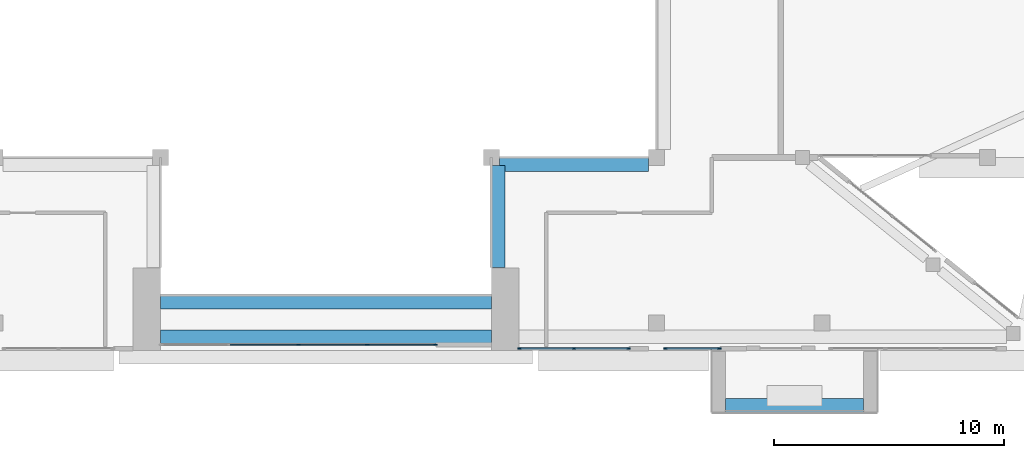
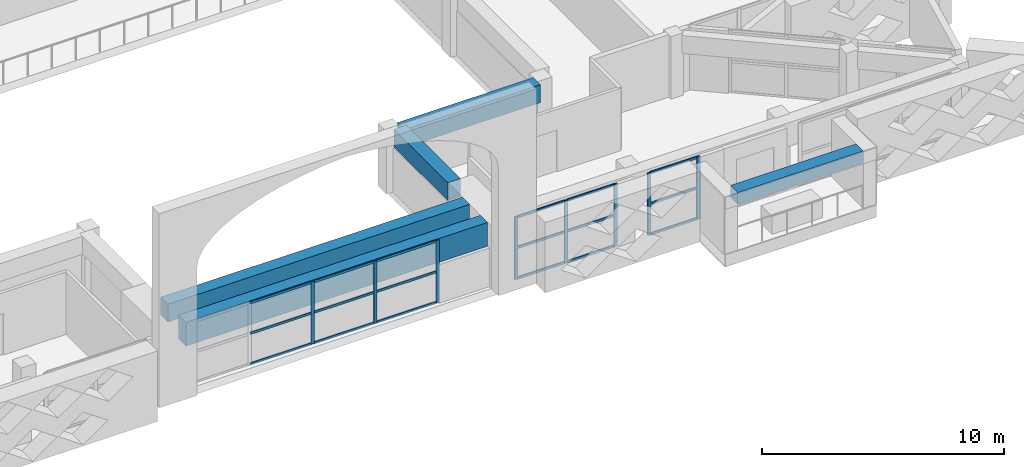
# One storey, part 4 of 22: 26 members, 5 beams, 3 elements without a shape of their own.
"""IFC4 building model written with IfcOpenShell, lengths in metres."""

from ifc_helpers import new_model, si_unit, direction, frame, origin, origin_2d, place, context, subcontext, project, spatial, rectangle, extrude, source, transform, mapped, material, layer, layer_set, material_profile, profile_set, type_object, element, aggregate, save


model = new_model("IFC4")

# Units and contexts
model_context = context("Model", 3, precision=1e-05, world=origin(), true_north=direction((0.0, 1.0)))
body_context = subcontext(model_context, "Body", "Model", "MODEL_VIEW")
ifc_project = project(units=[si_unit("LENGTHUNIT", "METRE"), si_unit("AREAUNIT", "SQUARE_METRE"), si_unit("VOLUMEUNIT", "CUBIC_METRE"), si_unit("PLANEANGLEUNIT", "RADIAN"), si_unit("MASSUNIT", "GRAM", prefix="KILO")], contexts=[model_context])

# Site, building, storey
site_placement = place(None, origin())
site = spatial("IfcSite", under=ifc_project, at=site_placement, CompositionType="ELEMENT")
building_placement = place(site_placement, origin())
building = spatial("IfcBuilding", under=site, at=building_placement, Name="Saffron Iwan Residences", CompositionType="ELEMENT")
storey_placement = place(building_placement, frame((0.0, 0.0, 271.0)))
storey = spatial("IfcBuildingStorey", under=building, at=storey_placement, Name="L73", CompositionType="ELEMENT", Elevation=271.0)

# Beams
ifc_material_1 = material(Name="Concrete C40/50", Category="concrete")
ifc_material_profile_1 = material_profile(ifc_material_1, rectangle(XDim=0.60009765625, YDim=1.199951171875, at=origin_2d()), Name="RC 600x1200")
ifc_profile_set_1 = profile_set([ifc_material_profile_1], Name="Concrete C40/50")
beam_type_1 = type_object("IfcBeamType", Name="LINTEL BEAM RC 600x1200 C40/50 TOP 3150", PredefinedType="LINTEL", material=ifc_profile_set_1)
shared_shape_1 = source(origin(), body_context, "Body", "SweptSolid", [
    extrude(rectangle(XDim=0.60009765625, YDim=1.199951171875, at=origin_2d()), origin(), (0.0, 0.0, 1.0), 14.400146484375),
])
beam_1_placement = place(storey_placement, frame((57.60009765625, 40.199951171875, 2.550048828125), z_axis=(-1.0, 0.0, 0.0), x_axis=(0.0, -1.0, 0.0)))
element("IfcBeam", 1, at=beam_1_placement, inside=storey, type_object=beam_type_1, Name="Lintel beam over the iwan", PredefinedType="LINTEL", context=body_context, shape_type="MappedRepresentation", body=[
    mapped(shared_shape_1, transform((0.0, 0.0, 0.0))),
])
ifc_material_profile_2 = material_profile(ifc_material_1, rectangle(XDim=0.60009765625, YDim=0.89990234375, at=origin_2d()), Name="RC 600x900")
ifc_profile_set_2 = profile_set([ifc_material_profile_2], Name="Concrete C40/50")
beam_type_2 = type_object("IfcBeamType", Name="BEAM RC 600x900 C40/50 TOP 3150", PredefinedType="BEAM", material=ifc_profile_set_2)
shared_shape_2 = source(origin(), body_context, "Body", "SweptSolid", [
    extrude(rectangle(XDim=0.60009765625, YDim=0.89990234375, at=origin_2d()), origin(), (0.0, 0.0, 1.0), 14.400146484375),
])
beam_2_placement = place(storey_placement, frame((57.60009765625, 41.699951171875, 2.699951171875), z_axis=(-1.0, 0.0, 0.0), x_axis=(0.0, -1.0, 0.0)))
element("IfcBeam", 2, at=beam_2_placement, inside=storey, type_object=beam_type_2, Name="Atrium edge beam", PredefinedType="BEAM", context=body_context, shape_type="MappedRepresentation", body=[
    mapped(shared_shape_2, transform((0.0, 0.0, 0.0))),
])
shared_shape_3 = source(origin(), body_context, "Body", "SweptSolid", [
    extrude(rectangle(XDim=0.60009765625, YDim=0.89990234375, at=origin_2d()), origin(), (0.0, 0.0, 1.0), 4.449951171875),
])
beam_3_placement = place(storey_placement, frame((57.89990234375, 47.64990234375, 2.699951171875), z_axis=(0.0, -1.0, 0.0), x_axis=(1.0, 0.0, 0.0)))
element("IfcBeam", 3, at=beam_3_placement, inside=storey, type_object=beam_type_2, Name="Atrium edge beam", PredefinedType="BEAM", context=body_context, shape_type="MappedRepresentation", body=[
    mapped(shared_shape_3, transform((0.0, 0.0, 0.0))),
])
shared_shape_4 = source(origin(), body_context, "Body", "SweptSolid", [
    extrude(rectangle(XDim=0.60009765625, YDim=0.89990234375, at=origin_2d()), origin(), (0.0, 0.0, 1.0), 6.5),
])
beam_4_placement = place(storey_placement, frame((64.449951171875, 47.699951171875, 2.699951171875), z_axis=(-1.0, 0.0, 0.0), x_axis=(0.0, -1.0, 0.0)))
element("IfcBeam", 4, at=beam_4_placement, inside=storey, type_object=beam_type_2, Name="Atrium edge beam", PredefinedType="BEAM", context=body_context, shape_type="MappedRepresentation", body=[
    mapped(shared_shape_4, transform((0.0, 0.0, 0.0))),
])

# Curtain wall, members
ifc_material_2 = material(Name="Clear glass, laminated double glazed", Category="glass")
ifc_layer_1 = layer(ifc_material_2, 0.199951171875)
ifc_layer_set_1 = layer_set([ifc_layer_1], Name="Clear glass, laminated double glazed")
curtain_wall_type_1 = type_object("IfcCurtainWallType", Name="CW-B IWAN PORTAL", PredefinedType="NOTDEFINED", material=ifc_layer_set_1)
curtain_wall_1_placement = place(storey_placement, origin())
curtain_wall_1 = element("IfcCurtainWall", 5, at=curtain_wall_1_placement, inside=storey, type_object=curtain_wall_type_1, Name="Iwan portal glazing L73.1", PredefinedType="NOTDEFINED")
ifc_material_3 = material(Name="Aluminium 6063-T6", Category="aluminium")
ifc_material_profile_3 = material_profile(ifc_material_3, rectangle(XDim=0.06005859375, YDim=0.1201171875, at=origin_2d()), Name="CW-B TRANSOM 60 x 120")
ifc_profile_set_3 = profile_set([ifc_material_profile_3], Name="Aluminium 6063-T6")
member_type_1 = type_object("IfcMemberType", Name="CW-B TRANSOM 60 x 120", PredefinedType="USERDEFINED", material=ifc_profile_set_3)
shared_shape_5 = source(origin(), body_context, "Body", "SweptSolid", [
    extrude(rectangle(XDim=0.06005859375, YDim=0.1201171875, at=origin_2d()), origin(), (0.0, 0.0, 1.0), 2.909912109375),
])
member_1_placement = place(storey_placement, frame((52.22998046875, 39.85009765625, 0.030029296875), z_axis=(1.0, 0.0, 0.0), x_axis=(0.0, 1.0, 0.0)))
member_1 = element("IfcMember", 6, at=member_1_placement, type_object=member_type_1, Name="CW-B transom 4.1", ObjectType="TRANSOM", PredefinedType="USERDEFINED", context=body_context, shape_type="MappedRepresentation", body=[
    mapped(shared_shape_5, transform((0.0, 0.0, 0.0))),
])
member_2_placement = place(storey_placement, frame((52.22998046875, 39.85009765625, 1.574951171875), z_axis=(1.0, 0.0, 0.0), x_axis=(0.0, 1.0, 0.0)))
member_2 = element("IfcMember", 7, at=member_2_placement, type_object=member_type_1, Name="CW-B transom 4.2", ObjectType="TRANSOM", PredefinedType="USERDEFINED", context=body_context, shape_type="MappedRepresentation", body=[
    mapped(shared_shape_5, transform((0.0, 0.0, 0.0))),
])
member_3_placement = place(storey_placement, frame((52.22998046875, 39.85009765625, 3.1201171875), z_axis=(1.0, 0.0, 0.0), x_axis=(0.0, 1.0, 0.0)))
member_3 = element("IfcMember", 8, at=member_3_placement, type_object=member_type_1, Name="CW-B transom 4.3", ObjectType="TRANSOM", PredefinedType="USERDEFINED", context=body_context, shape_type="MappedRepresentation", body=[
    mapped(shared_shape_5, transform((0.0, 0.0, 0.0))),
])
shared_shape_6 = source(origin(), body_context, "Body", "SweptSolid", [
    extrude(rectangle(XDim=0.06005859375, YDim=0.1201171875, at=origin_2d()), origin(), (0.0, 0.0, 1.0), 2.93994140625),
])
member_4_placement = place(storey_placement, frame((46.22998046875, 39.85009765625, 0.030029296875), z_axis=(1.0, 0.0, 0.0), x_axis=(0.0, 1.0, 0.0)))
member_4 = element("IfcMember", 9, at=member_4_placement, type_object=member_type_1, Name="CW-B transom 2.1", ObjectType="TRANSOM", PredefinedType="USERDEFINED", context=body_context, shape_type="MappedRepresentation", body=[
    mapped(shared_shape_6, transform((0.0, 0.0, 0.0))),
])
member_5_placement = place(storey_placement, frame((46.22998046875, 39.85009765625, 1.574951171875), z_axis=(1.0, 0.0, 0.0), x_axis=(0.0, 1.0, 0.0)))
member_5 = element("IfcMember", 10, at=member_5_placement, type_object=member_type_1, Name="CW-B transom 2.2", ObjectType="TRANSOM", PredefinedType="USERDEFINED", context=body_context, shape_type="MappedRepresentation", body=[
    mapped(shared_shape_6, transform((0.0, 0.0, 0.0))),
])
member_6_placement = place(storey_placement, frame((46.22998046875, 39.85009765625, 3.1201171875), z_axis=(1.0, 0.0, 0.0), x_axis=(0.0, 1.0, 0.0)))
member_6 = element("IfcMember", 11, at=member_6_placement, type_object=member_type_1, Name="CW-B transom 2.3", ObjectType="TRANSOM", PredefinedType="USERDEFINED", context=body_context, shape_type="MappedRepresentation", body=[
    mapped(shared_shape_6, transform((0.0, 0.0, 0.0))),
])
member_7_placement = place(storey_placement, frame((49.22998046875, 39.85009765625, 0.030029296875), z_axis=(1.0, 0.0, 0.0), x_axis=(0.0, 1.0, 0.0)))
member_7 = element("IfcMember", 12, at=member_7_placement, type_object=member_type_1, Name="CW-B transom 3.1", ObjectType="TRANSOM", PredefinedType="USERDEFINED", context=body_context, shape_type="MappedRepresentation", body=[
    mapped(shared_shape_6, transform((0.0, 0.0, 0.0))),
])
member_8_placement = place(storey_placement, frame((49.22998046875, 39.85009765625, 1.574951171875), z_axis=(1.0, 0.0, 0.0), x_axis=(0.0, 1.0, 0.0)))
member_8 = element("IfcMember", 13, at=member_8_placement, type_object=member_type_1, Name="CW-B transom 3.2", ObjectType="TRANSOM", PredefinedType="USERDEFINED", context=body_context, shape_type="MappedRepresentation", body=[
    mapped(shared_shape_6, transform((0.0, 0.0, 0.0))),
])
member_9_placement = place(storey_placement, frame((49.22998046875, 39.85009765625, 3.1201171875), z_axis=(1.0, 0.0, 0.0), x_axis=(0.0, 1.0, 0.0)))
member_9 = element("IfcMember", 14, at=member_9_placement, type_object=member_type_1, Name="CW-B transom 3.3", ObjectType="TRANSOM", PredefinedType="USERDEFINED", context=body_context, shape_type="MappedRepresentation", body=[
    mapped(shared_shape_6, transform((0.0, 0.0, 0.0))),
])

# Beam
ifc_material_4 = material(Name="Concrete C50/60 white painted", Category="concrete")
ifc_material_profile_4 = material_profile(ifc_material_4, rectangle(XDim=0.60009765625, YDim=0.60009765625, at=origin_2d()), Name="BALCONY FASCIA BEAM 600 x 600")
ifc_profile_set_4 = profile_set([ifc_material_profile_4], Name="Concrete C50/60 white painted")
beam_type_3 = type_object("IfcBeamType", Name="BALCONY FASCIA BEAM 600 x 600", PredefinedType="BEAM", material=ifc_profile_set_4)
shared_shape_7 = source(origin(), body_context, "Body", "SweptSolid", [
    extrude(rectangle(XDim=0.60009765625, YDim=0.60009765625, at=origin_2d()), origin(), (0.0, 0.0, 1.0), 6.0),
])
beam_5_placement = place(storey_placement, frame((67.800048828125, 37.199951171875, 2.60107421875), z_axis=(1.0, 0.0, 0.0), x_axis=(0.0, 1.0, 0.0)))
element("IfcBeam", 15, at=beam_5_placement, inside=storey, type_object=beam_type_3, Name="Balcony fascia beam L73 11-1", PredefinedType="BEAM", context=body_context, shape_type="MappedRepresentation", body=[
    mapped(shared_shape_7, transform((0.0, 0.0, 0.0))),
])

# Member
ifc_material_profile_5 = material_profile(ifc_material_3, rectangle(XDim=0.06005859375, YDim=0.159912109375, at=origin_2d()), Name="CW-B MULLION 60 x 160")
ifc_profile_set_5 = profile_set([ifc_material_profile_5], Name="Aluminium 6063-T6")
member_type_2 = type_object("IfcMemberType", Name="CW-B MULLION 60 x 160", PredefinedType="MULLION", material=ifc_profile_set_5)
shared_shape_8 = source(origin(), body_context, "Body", "SweptSolid", [
    extrude(rectangle(XDim=0.06005859375, YDim=0.159912109375, at=origin_2d()), origin(), (0.0, 0.0, 1.0), 3.14990234375),
])
member_10_placement = place(storey_placement, frame((49.199951171875, 39.85009765625, 0.0), z_axis=(0.0, 0.0, 1.0), x_axis=(0.0, 1.0, 0.0)))
member_10 = element("IfcMember", 16, at=member_10_placement, type_object=member_type_2, Name="CW-B mullion 3", PredefinedType="MULLION", context=body_context, shape_type="MappedRepresentation", body=[
    mapped(shared_shape_8, transform((0.0, 0.0, 0.0))),
])

member_11_placement = place(storey_placement, frame((52.199951171875, 39.85009765625, 0.0), z_axis=(0.0, 0.0, 1.0), x_axis=(0.0, 1.0, 0.0)))
member_11 = element("IfcMember", 17, at=member_11_placement, type_object=member_type_2, Name="CW-B mullion 4", PredefinedType="MULLION", context=body_context, shape_type="MappedRepresentation", body=[
    mapped(shared_shape_8, transform((0.0, 0.0, 0.0))),
])

member_12_placement = place(storey_placement, frame((55.169921875, 39.85009765625, 0.0), z_axis=(0.0, 0.0, 1.0), x_axis=(0.0, 1.0, 0.0)))
member_12 = element("IfcMember", 18, at=member_12_placement, type_object=member_type_2, Name="CW-B mullion 5", PredefinedType="MULLION", context=body_context, shape_type="MappedRepresentation", body=[
    mapped(shared_shape_8, transform((0.0, 0.0, 0.0))),
])

aggregate(curtain_wall_1, [member_10, member_11, member_12, member_4, member_5, member_6, member_7, member_8, member_9, member_1, member_2, member_3])

# Curtain wall, members
ifc_layer_2 = layer(ifc_material_2, 0.14990234375)
ifc_layer_set_2 = layer_set([ifc_layer_2], Name="Clear glass, laminated double glazed")
curtain_wall_type_2 = type_object("IfcCurtainWallType", Name="CW-E SKY CLUB GLAZING", PredefinedType="NOTDEFINED", material=ifc_layer_set_2)
curtain_wall_2_placement = place(storey_placement, origin())
curtain_wall_2 = element("IfcCurtainWall", 19, at=curtain_wall_2_placement, inside=storey, type_object=curtain_wall_type_2, Name="Glazing L73 F11.3", PredefinedType="NOTDEFINED")
ifc_material_profile_6 = material_profile(ifc_material_3, rectangle(XDim=0.06005859375, YDim=0.159912109375, at=origin_2d()), Name="CW-E MULLION 60 x 160")
ifc_profile_set_6 = profile_set([ifc_material_profile_6], Name="Aluminium 6063-T6")
member_type_3 = type_object("IfcMemberType", Name="CW-E MULLION 60 x 160", PredefinedType="MULLION", material=ifc_profile_set_6)
shared_shape_9 = source(origin(), body_context, "Body", "SweptSolid", [
    extrude(rectangle(XDim=0.06005859375, YDim=0.159912109375, at=origin_2d()), origin(), (0.0, 0.0, 1.0), 3.14990234375),
])
member_13_placement = place(storey_placement, frame((58.830078125, 39.679931640625, 0.0), z_axis=(0.0, 0.0, 1.0), x_axis=(0.0, 1.0, 0.0)))
member_13 = element("IfcMember", 20, at=member_13_placement, type_object=member_type_3, Name="CW-E mullion 1", PredefinedType="MULLION", context=body_context, shape_type="MappedRepresentation", body=[
    mapped(shared_shape_9, transform((0.0, 0.0, 0.0))),
])
member_14_placement = place(storey_placement, frame((61.199951171875, 39.679931640625, 0.0), z_axis=(0.0, 0.0, 1.0), x_axis=(0.0, 1.0, 0.0)))
member_14 = element("IfcMember", 21, at=member_14_placement, type_object=member_type_3, Name="CW-E mullion 2", PredefinedType="MULLION", context=body_context, shape_type="MappedRepresentation", body=[
    mapped(shared_shape_9, transform((0.0, 0.0, 0.0))),
])
member_15_placement = place(storey_placement, frame((63.570068359375, 39.679931640625, 0.0), z_axis=(0.0, 0.0, 1.0), x_axis=(0.0, 1.0, 0.0)))
member_15 = element("IfcMember", 22, at=member_15_placement, type_object=member_type_3, Name="CW-E mullion 3", PredefinedType="MULLION", context=body_context, shape_type="MappedRepresentation", body=[
    mapped(shared_shape_9, transform((0.0, 0.0, 0.0))),
])

curtain_wall_3_placement = place(storey_placement, origin())
curtain_wall_3 = element("IfcCurtainWall", 23, at=curtain_wall_3_placement, inside=storey, type_object=curtain_wall_type_2, Name="Glazing L73 F11.4", PredefinedType="NOTDEFINED")
member_16_placement = place(storey_placement, frame((65.179931640625, 39.679931640625, 0.0), z_axis=(0.0, 0.0, 1.0), x_axis=(0.0, 1.0, 0.0)))
member_16 = element("IfcMember", 24, at=member_16_placement, type_object=member_type_3, Name="CW-E mullion 1", PredefinedType="MULLION", context=body_context, shape_type="MappedRepresentation", body=[
    mapped(shared_shape_9, transform((0.0, 0.0, 0.0))),
])
member_17_placement = place(storey_placement, frame((67.52001953125, 39.679931640625, 0.0), z_axis=(0.0, 0.0, 1.0), x_axis=(0.0, 1.0, 0.0)))
member_17 = element("IfcMember", 25, at=member_17_placement, type_object=member_type_3, Name="CW-E mullion 2", PredefinedType="MULLION", context=body_context, shape_type="MappedRepresentation", body=[
    mapped(shared_shape_9, transform((0.0, 0.0, 0.0))),
])
ifc_material_profile_7 = material_profile(ifc_material_3, rectangle(XDim=0.06005859375, YDim=0.1201171875, at=origin_2d()), Name="CW-E TRANSOM 60 x 120")
ifc_profile_set_7 = profile_set([ifc_material_profile_7], Name="Aluminium 6063-T6")
member_type_4 = type_object("IfcMemberType", Name="CW-E TRANSOM 60 x 120", PredefinedType="USERDEFINED", material=ifc_profile_set_7)
shared_shape_10 = source(origin(), body_context, "Body", "SweptSolid", [
    extrude(rectangle(XDim=0.06005859375, YDim=0.1201171875, at=origin_2d()), origin(), (0.0, 0.0, 1.0), 2.280029296875),
])
member_18_placement = place(storey_placement, frame((65.2099609375, 39.679931640625, 0.030029296875), z_axis=(1.0, 0.0, 0.0), x_axis=(0.0, 1.0, 0.0)))
member_18 = element("IfcMember", 26, at=member_18_placement, type_object=member_type_4, Name="CW-E transom 1.1", ObjectType="TRANSOM", PredefinedType="USERDEFINED", context=body_context, shape_type="MappedRepresentation", body=[
    mapped(shared_shape_10, transform((0.0, 0.0, 0.0))),
])
member_19_placement = place(storey_placement, frame((65.2099609375, 39.679931640625, 1.574951171875), z_axis=(1.0, 0.0, 0.0), x_axis=(0.0, 1.0, 0.0)))
member_19 = element("IfcMember", 27, at=member_19_placement, type_object=member_type_4, Name="CW-E transom 1.2", ObjectType="TRANSOM", PredefinedType="USERDEFINED", context=body_context, shape_type="MappedRepresentation", body=[
    mapped(shared_shape_10, transform((0.0, 0.0, 0.0))),
])
member_20_placement = place(storey_placement, frame((65.2099609375, 39.679931640625, 3.1201171875), z_axis=(1.0, 0.0, 0.0), x_axis=(0.0, 1.0, 0.0)))
member_20 = element("IfcMember", 28, at=member_20_placement, type_object=member_type_4, Name="CW-E transom 1.3", ObjectType="TRANSOM", PredefinedType="USERDEFINED", context=body_context, shape_type="MappedRepresentation", body=[
    mapped(shared_shape_10, transform((0.0, 0.0, 0.0))),
])
aggregate(curtain_wall_3, [member_16, member_17, member_18, member_19, member_20])

# Member
shared_shape_11 = source(origin(), body_context, "Body", "SweptSolid", [
    extrude(rectangle(XDim=0.06005859375, YDim=0.1201171875, at=origin_2d()), origin(), (0.0, 0.0, 1.0), 2.31005859375),
])
member_21_placement = place(storey_placement, frame((61.22998046875, 39.679931640625, 0.030029296875), z_axis=(1.0, 0.0, 0.0), x_axis=(0.0, 1.0, 0.0)))
member_21 = element("IfcMember", 29, at=member_21_placement, type_object=member_type_4, Name="CW-E transom 2.1", ObjectType="TRANSOM", PredefinedType="USERDEFINED", context=body_context, shape_type="MappedRepresentation", body=[
    mapped(shared_shape_11, transform((0.0, 0.0, 0.0))),
])

member_22_placement = place(storey_placement, frame((61.22998046875, 39.679931640625, 1.574951171875), z_axis=(1.0, 0.0, 0.0), x_axis=(0.0, 1.0, 0.0)))
member_22 = element("IfcMember", 30, at=member_22_placement, type_object=member_type_4, Name="CW-E transom 2.2", ObjectType="TRANSOM", PredefinedType="USERDEFINED", context=body_context, shape_type="MappedRepresentation", body=[
    mapped(shared_shape_11, transform((0.0, 0.0, 0.0))),
])

member_23_placement = place(storey_placement, frame((61.22998046875, 39.679931640625, 3.1201171875), z_axis=(1.0, 0.0, 0.0), x_axis=(0.0, 1.0, 0.0)))
member_23 = element("IfcMember", 31, at=member_23_placement, type_object=member_type_4, Name="CW-E transom 2.3", ObjectType="TRANSOM", PredefinedType="USERDEFINED", context=body_context, shape_type="MappedRepresentation", body=[
    mapped(shared_shape_11, transform((0.0, 0.0, 0.0))),
])

shared_shape_12 = source(origin(), body_context, "Body", "SweptSolid", [
    extrude(rectangle(XDim=0.06005859375, YDim=0.1201171875, at=origin_2d()), origin(), (0.0, 0.0, 1.0), 2.309814453125),
])
member_24_placement = place(storey_placement, frame((58.860107421875, 39.679931640625, 0.030029296875), z_axis=(1.0, 0.0, 0.0), x_axis=(0.0, 1.0, 0.0)))
member_24 = element("IfcMember", 32, at=member_24_placement, type_object=member_type_4, Name="CW-E transom 1.1", ObjectType="TRANSOM", PredefinedType="USERDEFINED", context=body_context, shape_type="MappedRepresentation", body=[
    mapped(shared_shape_12, transform((0.0, 0.0, 0.0))),
])

member_25_placement = place(storey_placement, frame((58.860107421875, 39.679931640625, 1.574951171875), z_axis=(1.0, 0.0, 0.0), x_axis=(0.0, 1.0, 0.0)))
member_25 = element("IfcMember", 33, at=member_25_placement, type_object=member_type_4, Name="CW-E transom 1.2", ObjectType="TRANSOM", PredefinedType="USERDEFINED", context=body_context, shape_type="MappedRepresentation", body=[
    mapped(shared_shape_12, transform((0.0, 0.0, 0.0))),
])

member_26_placement = place(storey_placement, frame((58.860107421875, 39.679931640625, 3.1201171875), z_axis=(1.0, 0.0, 0.0), x_axis=(0.0, 1.0, 0.0)))
member_26 = element("IfcMember", 34, at=member_26_placement, type_object=member_type_4, Name="CW-E transom 1.3", ObjectType="TRANSOM", PredefinedType="USERDEFINED", context=body_context, shape_type="MappedRepresentation", body=[
    mapped(shared_shape_12, transform((0.0, 0.0, 0.0))),
])

aggregate(curtain_wall_2, [member_13, member_14, member_15, member_24, member_25, member_26, member_21, member_22, member_23])

save(model, "model.ifc")
